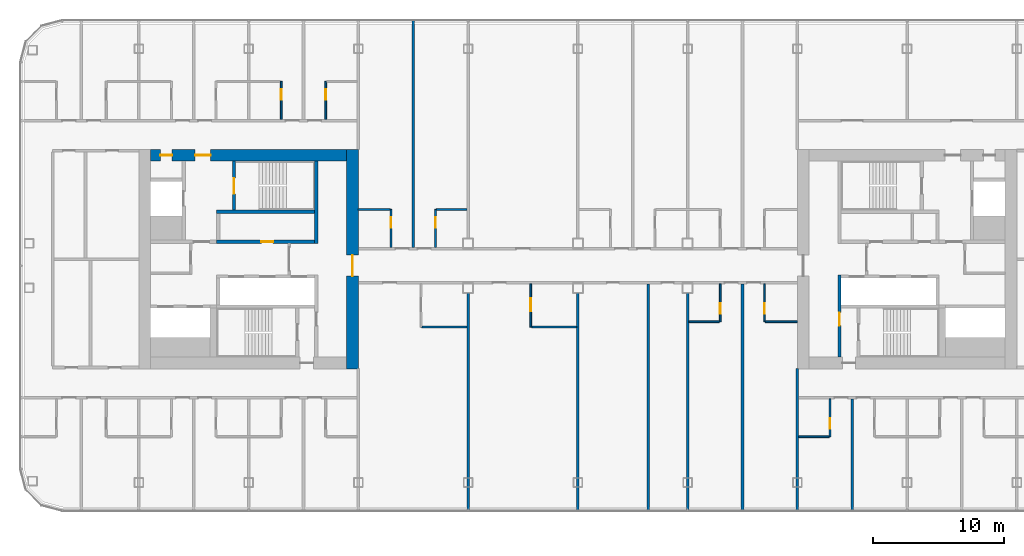
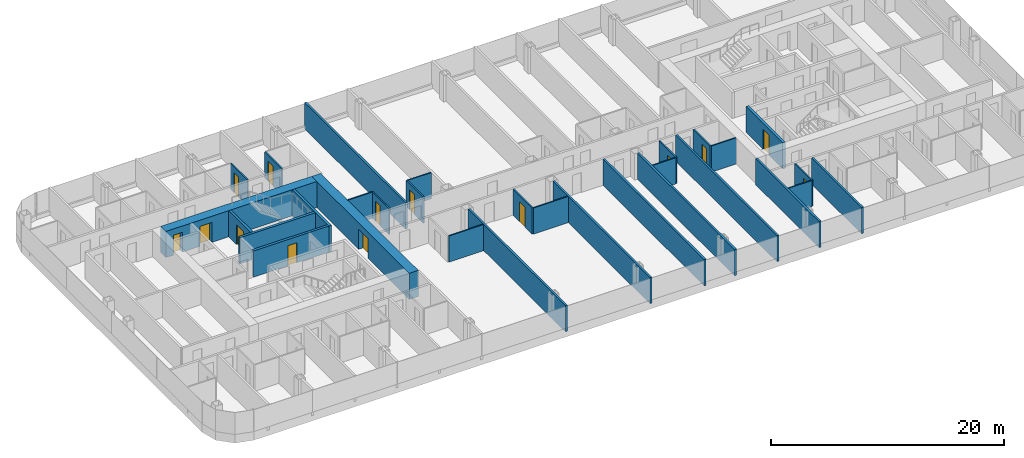
# One storey, part 14 of 26: 30 walls, 14 doors, 14 openings.
"""IFC4 building model written with IfcOpenShell, lengths in metres."""

from ifc_helpers import new_model, si_unit, direction, frame, frame_2d, origin, place, context, subcontext, project, spatial, rectangle, extrude, material, layer, layer_set, type_object, element, fill, save


model = new_model("IFC4")

# Units and contexts
model_context = context("Model", 3, precision=1e-05, world=origin(), true_north=direction((0.0, 1.0)))
body_context = subcontext(model_context, "Body", "Model", "MODEL_VIEW")
ifc_project = project(units=[si_unit("LENGTHUNIT", "METRE"), si_unit("AREAUNIT", "SQUARE_METRE"), si_unit("VOLUMEUNIT", "CUBIC_METRE"), si_unit("PLANEANGLEUNIT", "RADIAN"), si_unit("MASSUNIT", "GRAM", prefix="KILO")], contexts=[model_context])

# Site, building, storey
site_placement = place(None, origin())
site = spatial("IfcSite", under=ifc_project, at=site_placement, CompositionType="ELEMENT")
building_placement = place(site_placement, origin())
building = spatial("IfcBuilding", under=site, at=building_placement, Name="Hakoniwa Tower and Hamabe Station Hall", CompositionType="ELEMENT")
storey_placement = place(building_placement, frame((0.0, 0.0, 134.199951171875)))
storey = spatial("IfcBuildingStorey", under=building, at=storey_placement, Name="L37", CompositionType="ELEMENT", Elevation=134.199951171875)

# Walls
ifc_material_1 = material(Name="Gypsum board partition", Category="gypsum")
ifc_layer_1 = layer(ifc_material_1, 0.125)
ifc_layer_set_1 = layer_set([ifc_layer_1], Name="Bathroom Partition 125")
wall_type_1 = type_object("IfcWallType", Name="Bathroom Partition 125", PredefinedType="PARTITIONING", material=ifc_layer_set_1)
wall_1_placement = place(storey_placement, frame((16.89990234375, -13.60009765625, 0.0), z_axis=(0.0, 0.0, 1.0), x_axis=(1.0, 0.0, 0.0)))
element("IfcWall", 1, at=wall_1_placement, inside=storey, type_object=wall_type_1, Name="GW-L37-005", PredefinedType="PARTITIONING", context=body_context, shape_type="SweptSolid", body=[
    extrude(rectangle(XDim=2.337646484375, YDim=0.125, at=frame_2d((1.1689453125, 0.0))), origin(), (0.0, 0.0, 1.0), 2.75),
])
for number, where, z_axis, x_axis, name in (
    (2, (-11.9375, -5.199951171875, 0.0), (0.0, 0.0, 1.0), (1.0, 0.0, 0.0), "GW-L37-013"),
    (3, (-3.53759765625, -5.199951171875, 0.0), (0.0, 0.0, 1.0), (1.0, 0.0, 0.0), "GW-L37-014"),
):
    element("IfcWall", number, at=place(storey_placement, frame(where, z_axis=z_axis, x_axis=x_axis)), inside=storey, type_object=wall_type_1, Name=name, PredefinedType="PARTITIONING", context=body_context, shape_type="SweptSolid", body=[
        extrude(rectangle(XDim=3.4375, YDim=0.125, at=frame_2d((1.71875, 0.0))), origin(), (0.0, 0.0, 1.0), 2.75),
    ])
wall_2_placement = place(storey_placement, frame((8.5, -4.800048828125, 0.0), z_axis=(0.0, 0.0, 1.0), x_axis=(1.0, 0.0, 0.0)))
element("IfcWall", 4, at=wall_2_placement, inside=storey, type_object=wall_type_1, Name="GW-L37-015", PredefinedType="PARTITIONING", context=body_context, shape_type="SweptSolid", body=[
    extrude(rectangle(XDim=2.33740234375, YDim=0.125, at=frame_2d((1.168701171875, 0.0))), origin(), (0.0, 0.0, 1.0), 2.75),
])
for number, where, z_axis, x_axis, name in (
    (5, (14.362548828125, -4.800048828125, 0.0), (0.0, 0.0, 1.0), (1.0, 0.0, 0.0), "GW-L37-016"),
    (6, (-16.81005859375, 3.800048828125, 0.0), (0.0, 0.0, 1.0), (1.0, 0.0, 0.0), "GW-L37-021"),
):
    element("IfcWall", number, at=place(storey_placement, frame(where, z_axis=z_axis, x_axis=x_axis)), inside=storey, type_object=wall_type_1, Name=name, PredefinedType="PARTITIONING", context=body_context, shape_type="SweptSolid", body=[
        extrude(rectangle(XDim=2.447509765625, YDim=0.125, at=frame_2d((1.2236328125, 0.0))), origin(), (0.0, 0.0, 1.0), 2.75),
    ])
wall_3_placement = place(storey_placement, frame((-10.83740234375, 3.800048828125, 0.0), z_axis=(0.0, 0.0, 1.0), x_axis=(1.0, 0.0, 0.0)))
element("IfcWall", 7, at=wall_3_placement, inside=storey, type_object=wall_type_1, Name="GW-L37-022", PredefinedType="PARTITIONING", context=body_context, shape_type="SweptSolid", body=[
    extrude(rectangle(XDim=2.33740234375, YDim=0.125, at=frame_2d((1.168701171875, 0.0))), origin(), (0.0, 0.0, 1.0), 2.75),
])

# Wall, opening, door
wall_4_placement = place(storey_placement, frame((-22.699951171875, 10.699951171875, 0.0), z_axis=(0.0, 0.0, 1.0), x_axis=(0.0, 1.0, 0.0)))
wall_4 = element("IfcWall", 8, at=wall_4_placement, inside=storey, type_object=wall_type_1, Name="GW-L37-054", PredefinedType="PARTITIONING", context=body_context, shape_type="SweptSolid", body=[
    extrude(rectangle(XDim=2.900146484375, YDim=0.125, at=frame_2d((1.4501953125, 0.0))), origin(), (0.0, 0.0, 1.0), 2.75),
])
opening_1_placement = place(wall_4_placement, frame((1.5, 0.0, 0.0)))
opening_1 = element("IfcOpeningElement", 9, at=opening_1_placement, cuts=wall_4, Name="Opening GD-G3B0-52", PredefinedType="OPENING", context=body_context, shape_type="SweptSolid", body=[
    extrude(rectangle(XDim=0.800048828125, YDim=2.10009765625, at=frame_2d((0.39990234375, 1.050048828125))), frame((0.0, 0.072509765625, 0.0), z_axis=(0.0, -1.0, 0.0), x_axis=(1.0, 0.0, 0.0)), (0.0, 0.0, 1.0), 0.14501953125),
])
ifc_material_2 = material(Name="Timber door leaf", Category="wood")
door_type_1 = type_object("IfcDoorType", Name="Bathroom Door 800", OperationType="SINGLE_SWING_LEFT", PredefinedType="DOOR", material=ifc_material_2)
door_1_placement = place(opening_1_placement, origin())
door_1 = element("IfcDoor", 10, at=door_1_placement, inside=storey, type_object=door_type_1, Name="Door GD-G3B0-52", OperationType="SINGLE_SWING_LEFT", OverallHeight=2.10009765625, OverallWidth=0.800048828125, PredefinedType="DOOR", context=body_context, shape_type="SweptSolid", body=[
    extrude(rectangle(XDim=0.800048828125, YDim=2.10009765625, at=frame_2d((0.39990234375, 1.050048828125))), frame((0.0, 0.02490234375, 0.0), z_axis=(0.0, -1.0, 0.0), x_axis=(1.0, 0.0, 0.0)), (0.0, 0.0, 1.0), 0.050048828125),
])
fill(opening_1, door_1)

wall_5_placement = place(storey_placement, frame((-19.300048828125, 10.699951171875, 0.0), z_axis=(0.0, 0.0, 1.0), x_axis=(0.0, 1.0, 0.0)))
wall_5 = element("IfcWall", 11, at=wall_5_placement, inside=storey, type_object=wall_type_1, Name="GW-L37-058", PredefinedType="PARTITIONING", context=body_context, shape_type="SweptSolid", body=[
    extrude(rectangle(XDim=2.900146484375, YDim=0.125, at=frame_2d((1.4501953125, 0.0))), origin(), (0.0, 0.0, 1.0), 2.75),
])
opening_2_placement = place(wall_5_placement, frame((1.5, 0.0, 0.0)))
opening_2 = element("IfcOpeningElement", 12, at=opening_2_placement, cuts=wall_5, Name="Opening GD-G3B0-54", PredefinedType="OPENING", context=body_context, shape_type="SweptSolid", body=[
    extrude(rectangle(XDim=0.800048828125, YDim=2.10009765625, at=frame_2d((0.39990234375, 1.050048828125))), frame((0.0, 0.072509765625, 0.0), z_axis=(0.0, -1.0, 0.0), x_axis=(1.0, 0.0, 0.0)), (0.0, 0.0, 1.0), 0.14501953125),
])
door_2_placement = place(opening_2_placement, origin())
door_2 = element("IfcDoor", 13, at=door_2_placement, inside=storey, type_object=door_type_1, Name="Door GD-G3B0-54", OperationType="SINGLE_SWING_RIGHT", OverallHeight=2.10009765625, OverallWidth=0.800048828125, PredefinedType="DOOR", context=body_context, shape_type="SweptSolid", body=[
    extrude(rectangle(XDim=0.800048828125, YDim=2.10009765625, at=frame_2d((0.39990234375, 1.050048828125))), frame((0.0, 0.02490234375, 0.0), z_axis=(0.0, -1.0, 0.0), x_axis=(1.0, 0.0, 0.0)), (0.0, 0.0, 1.0), 0.050048828125),
])
fill(opening_2, door_2)

wall_6_placement = place(storey_placement, frame((-14.300048828125, 0.89990234375, 0.0), z_axis=(0.0, 0.0, 1.0), x_axis=(0.0, 1.0, 0.0)))
wall_6 = element("IfcWall", 14, at=wall_6_placement, inside=storey, type_object=wall_type_1, Name="GW-L37-061", PredefinedType="PARTITIONING", context=body_context, shape_type="SweptSolid", body=[
    extrude(rectangle(XDim=2.900146484375, YDim=0.125, at=frame_2d((1.4501953125, 0.0))), origin(), (0.0, 0.0, 1.0), 2.75),
])
opening_3_placement = place(wall_6_placement, frame((1.5, 0.0, 0.0)))
opening_3 = element("IfcOpeningElement", 15, at=opening_3_placement, cuts=wall_6, Name="Opening GD-G3B0-55", PredefinedType="OPENING", context=body_context, shape_type="SweptSolid", body=[
    extrude(rectangle(XDim=0.800048828125, YDim=2.10009765625, at=frame_2d((0.39990234375, 1.050048828125))), frame((0.0, 0.072509765625, 0.0), z_axis=(0.0, -1.0, 0.0), x_axis=(1.0, 0.0, 0.0)), (0.0, 0.0, 1.0), 0.14501953125),
])
door_3_placement = place(opening_3_placement, origin())
door_3 = element("IfcDoor", 16, at=door_3_placement, inside=storey, type_object=door_type_1, Name="Door GD-G3B0-55", OperationType="SINGLE_SWING_LEFT", OverallHeight=2.10009765625, OverallWidth=0.800048828125, PredefinedType="DOOR", context=body_context, shape_type="SweptSolid", body=[
    extrude(rectangle(XDim=0.800048828125, YDim=2.10009765625, at=frame_2d((0.39990234375, 1.050048828125))), frame((0.0, 0.02490234375, 0.0), z_axis=(0.0, -1.0, 0.0), x_axis=(1.0, 0.0, 0.0)), (0.0, 0.0, 1.0), 0.050048828125),
])
fill(opening_3, door_3)

wall_7_placement = place(storey_placement, frame((-10.89990234375, 0.89990234375, 0.0), z_axis=(0.0, 0.0, 1.0), x_axis=(0.0, 1.0, 0.0)))
wall_7 = element("IfcWall", 17, at=wall_7_placement, inside=storey, type_object=wall_type_1, Name="GW-L37-064", PredefinedType="PARTITIONING", context=body_context, shape_type="SweptSolid", body=[
    extrude(rectangle(XDim=2.900146484375, YDim=0.125, at=frame_2d((1.4501953125, 0.0))), origin(), (0.0, 0.0, 1.0), 2.75),
])
opening_4_placement = place(wall_7_placement, frame((1.5, 0.0, 0.0)))
opening_4 = element("IfcOpeningElement", 18, at=opening_4_placement, cuts=wall_7, Name="Opening GD-G3B0-57", PredefinedType="OPENING", context=body_context, shape_type="SweptSolid", body=[
    extrude(rectangle(XDim=0.800048828125, YDim=2.10009765625, at=frame_2d((0.39990234375, 1.050048828125))), frame((0.0, 0.072509765625, 0.0), z_axis=(0.0, -1.0, 0.0), x_axis=(1.0, 0.0, 0.0)), (0.0, 0.0, 1.0), 0.14501953125),
])
door_4_placement = place(opening_4_placement, origin())
door_4 = element("IfcDoor", 19, at=door_4_placement, inside=storey, type_object=door_type_1, Name="Door GD-G3B0-57", OperationType="SINGLE_SWING_RIGHT", OverallHeight=2.10009765625, OverallWidth=0.800048828125, PredefinedType="DOOR", context=body_context, shape_type="SweptSolid", body=[
    extrude(rectangle(XDim=0.800048828125, YDim=2.10009765625, at=frame_2d((0.39990234375, 1.050048828125))), frame((0.0, 0.02490234375, 0.0), z_axis=(0.0, -1.0, 0.0), x_axis=(1.0, 0.0, 0.0)), (0.0, 0.0, 1.0), 0.050048828125),
])
fill(opening_4, door_4)

wall_8_placement = place(storey_placement, frame((-3.60009765625, -5.199951171875, 0.0), z_axis=(0.0, 0.0, 1.0), x_axis=(0.0, 1.0, 0.0)))
wall_8 = element("IfcWall", 20, at=wall_8_placement, inside=storey, type_object=wall_type_1, Name="GW-L37-067", PredefinedType="PARTITIONING", context=body_context, shape_type="SweptSolid", body=[
    extrude(rectangle(XDim=3.300048828125, YDim=0.125, at=frame_2d((1.64990234375, 0.0))), origin(), (0.0, 0.0, 1.0), 2.75),
])
opening_5_placement = place(wall_8_placement, frame((1.199951171875, 0.0, 0.0)))
opening_5 = element("IfcOpeningElement", 21, at=opening_5_placement, cuts=wall_8, Name="Opening GD-G3B0-58", PredefinedType="OPENING", context=body_context, shape_type="SweptSolid", body=[
    extrude(rectangle(XDim=1.0, YDim=2.10009765625, at=frame_2d((0.5, 1.050048828125))), frame((0.0, 0.072509765625, 0.0), z_axis=(0.0, -1.0, 0.0), x_axis=(1.0, 0.0, 0.0)), (0.0, 0.0, 1.0), 0.14501953125),
])
ifc_material_3 = material(Name="Timber door leaf", Category="wood")
door_type_2 = type_object("IfcDoorType", Name="Accessible Bathroom Door 1000", OperationType="SINGLE_SWING_LEFT", PredefinedType="DOOR", material=ifc_material_3)
door_5_placement = place(opening_5_placement, origin())
door_5 = element("IfcDoor", 22, at=door_5_placement, inside=storey, type_object=door_type_2, Name="Door GD-G3B0-58", OperationType="SINGLE_SWING_LEFT", OverallHeight=2.10009765625, OverallWidth=1.0, PredefinedType="DOOR", context=body_context, shape_type="SweptSolid", body=[
    extrude(rectangle(XDim=1.0, YDim=2.10009765625, at=frame_2d((0.5, 1.050048828125))), frame((0.0, 0.02490234375, 0.0), z_axis=(0.0, -1.0, 0.0), x_axis=(1.0, 0.0, 0.0)), (0.0, 0.0, 1.0), 0.050048828125),
])
fill(opening_5, door_5)

wall_9_placement = place(storey_placement, frame((10.89990234375, -4.800048828125, 0.0), z_axis=(0.0, 0.0, 1.0), x_axis=(0.0, 1.0, 0.0)))
wall_9 = element("IfcWall", 23, at=wall_9_placement, inside=storey, type_object=wall_type_1, Name="GW-L37-076", PredefinedType="PARTITIONING", context=body_context, shape_type="SweptSolid", body=[
    extrude(rectangle(XDim=2.900146484375, YDim=0.125, at=frame_2d((1.4501953125, 0.0))), origin(), (0.0, 0.0, 1.0), 2.75),
])
opening_6_placement = place(wall_9_placement, frame((0.60009765625, 0.0, 0.0)))
opening_6 = element("IfcOpeningElement", 24, at=opening_6_placement, cuts=wall_9, Name="Opening GD-G3B0-61", PredefinedType="OPENING", context=body_context, shape_type="SweptSolid", body=[
    extrude(rectangle(XDim=0.800048828125, YDim=2.10009765625, at=frame_2d((0.39990234375, 1.050048828125))), frame((0.0, 0.072509765625, 0.0), z_axis=(0.0, -1.0, 0.0), x_axis=(1.0, 0.0, 0.0)), (0.0, 0.0, 1.0), 0.14501953125),
])
door_6_placement = place(opening_6_placement, origin())
door_6 = element("IfcDoor", 25, at=door_6_placement, inside=storey, type_object=door_type_1, Name="Door GD-G3B0-61", OperationType="SINGLE_SWING_RIGHT", OverallHeight=2.10009765625, OverallWidth=0.800048828125, PredefinedType="DOOR", context=body_context, shape_type="SweptSolid", body=[
    extrude(rectangle(XDim=0.800048828125, YDim=2.10009765625, at=frame_2d((0.39990234375, 1.050048828125))), frame((0.0, 0.02490234375, 0.0), z_axis=(0.0, -1.0, 0.0), x_axis=(1.0, 0.0, 0.0)), (0.0, 0.0, 1.0), 0.050048828125),
])
fill(opening_6, door_6)

wall_10_placement = place(storey_placement, frame((14.300048828125, -4.800048828125, 0.0), z_axis=(0.0, 0.0, 1.0), x_axis=(0.0, 1.0, 0.0)))
wall_10 = element("IfcWall", 26, at=wall_10_placement, inside=storey, type_object=wall_type_1, Name="GW-L37-080", PredefinedType="PARTITIONING", context=body_context, shape_type="SweptSolid", body=[
    extrude(rectangle(XDim=2.900146484375, YDim=0.125, at=frame_2d((1.4501953125, 0.0))), origin(), (0.0, 0.0, 1.0), 2.75),
])
opening_7_placement = place(wall_10_placement, frame((0.60009765625, 0.0, 0.0)))
opening_7 = element("IfcOpeningElement", 27, at=opening_7_placement, cuts=wall_10, Name="Opening GD-G3B0-63", PredefinedType="OPENING", context=body_context, shape_type="SweptSolid", body=[
    extrude(rectangle(XDim=0.800048828125, YDim=2.10009765625, at=frame_2d((0.39990234375, 1.050048828125))), frame((0.0, 0.072509765625, 0.0), z_axis=(0.0, -1.0, 0.0), x_axis=(1.0, 0.0, 0.0)), (0.0, 0.0, 1.0), 0.14501953125),
])
door_7_placement = place(opening_7_placement, origin())
door_7 = element("IfcDoor", 28, at=door_7_placement, inside=storey, type_object=door_type_1, Name="Door GD-G3B0-63", OperationType="SINGLE_SWING_LEFT", OverallHeight=2.10009765625, OverallWidth=0.800048828125, PredefinedType="DOOR", context=body_context, shape_type="SweptSolid", body=[
    extrude(rectangle(XDim=0.800048828125, YDim=2.10009765625, at=frame_2d((0.39990234375, 1.050048828125))), frame((0.0, 0.02490234375, 0.0), z_axis=(0.0, -1.0, 0.0), x_axis=(1.0, 0.0, 0.0)), (0.0, 0.0, 1.0), 0.050048828125),
])
fill(opening_7, door_7)

wall_11_placement = place(storey_placement, frame((19.300048828125, -13.60009765625, 0.0), z_axis=(0.0, 0.0, 1.0), x_axis=(0.0, 1.0, 0.0)))
wall_11 = element("IfcWall", 29, at=wall_11_placement, inside=storey, type_object=wall_type_1, Name="GW-L37-084", PredefinedType="PARTITIONING", context=body_context, shape_type="SweptSolid", body=[
    extrude(rectangle(XDim=2.900146484375, YDim=0.125, at=frame_2d((1.4501953125, 0.0))), origin(), (0.0, 0.0, 1.0), 2.75),
])
opening_8_placement = place(wall_11_placement, frame((0.60009765625, 0.0, 0.0)))
opening_8 = element("IfcOpeningElement", 30, at=opening_8_placement, cuts=wall_11, Name="Opening GD-G3B0-65", PredefinedType="OPENING", context=body_context, shape_type="SweptSolid", body=[
    extrude(rectangle(XDim=0.800048828125, YDim=2.10009765625, at=frame_2d((0.39990234375, 1.050048828125))), frame((0.0, 0.072509765625, 0.0), z_axis=(0.0, -1.0, 0.0), x_axis=(1.0, 0.0, 0.0)), (0.0, 0.0, 1.0), 0.14501953125),
])
door_8_placement = place(opening_8_placement, origin())
door_8 = element("IfcDoor", 31, at=door_8_placement, inside=storey, type_object=door_type_1, Name="Door GD-G3B0-65", OperationType="SINGLE_SWING_RIGHT", OverallHeight=2.10009765625, OverallWidth=0.800048828125, PredefinedType="DOOR", context=body_context, shape_type="SweptSolid", body=[
    extrude(rectangle(XDim=0.800048828125, YDim=2.10009765625, at=frame_2d((0.39990234375, 1.050048828125))), frame((0.0, 0.02490234375, 0.0), z_axis=(0.0, -1.0, 0.0), x_axis=(1.0, 0.0, 0.0)), (0.0, 0.0, 1.0), 0.050048828125),
])
fill(opening_8, door_8)

ifc_material_4 = material(Name="Concrete C66", Category="concrete")
ifc_layer_2 = layer(ifc_material_4, 0.89990234375)
ifc_layer_set_2 = layer_set([ifc_layer_2], Name="CORE WALL 900 C66")
wall_type_2 = type_object("IfcWallType", Name="CORE WALL 900 C66", PredefinedType="SHEAR", material=ifc_layer_set_2)
wall_12_placement = place(storey_placement, frame((-17.25, -8.39990234375, 0.0), z_axis=(0.0, 0.0, 1.0), x_axis=(0.0, 1.0, 0.0)))
wall_12 = element("IfcWall", 32, at=wall_12_placement, inside=storey, type_object=wall_type_2, Name="Core wall INNER west", PredefinedType="SHEAR", context=body_context, shape_type="SweptSolid", body=[
    extrude(rectangle(XDim=16.7998046875, YDim=0.89990234375, at=frame_2d((8.39990234375, 0.0))), origin(), (0.0, 0.0, 1.0), 2.75),
])
opening_9_placement = place(wall_12_placement, frame((7.10009765625, 0.0, 0.0)))
opening_9 = element("IfcOpeningElement", 33, at=opening_9_placement, cuts=wall_12, Name="Opening CD-W-IN1-16", PredefinedType="OPENING", context=body_context, shape_type="SweptSolid", body=[
    extrude(rectangle(XDim=1.60009765625, YDim=2.10009765625, at=frame_2d((0.800048828125, 1.050048828125))), frame((0.0, 0.4599609375, 0.0), z_axis=(0.0, -1.0, 0.0), x_axis=(1.0, 0.0, 0.0)), (0.0, 0.0, 1.0), 0.919921875),
])
ifc_material_5 = material(Name="Steel fire door", Category="steel")
door_type_3 = type_object("IfcDoorType", Name="CORE DOOR 1600 FD60", OperationType="DOUBLE_DOOR_SINGLE_SWING", PredefinedType="DOOR", material=ifc_material_5)
door_9_placement = place(opening_9_placement, origin())
door_9 = element("IfcDoor", 34, at=door_9_placement, inside=storey, type_object=door_type_3, Name="Lift lobby door", OperationType="DOUBLE_DOOR_SINGLE_SWING", OverallHeight=2.10009765625, OverallWidth=1.60009765625, PredefinedType="DOOR", context=body_context, shape_type="SweptSolid", body=[
    extrude(rectangle(XDim=1.60009765625, YDim=2.10009765625, at=frame_2d((0.800048828125, 1.050048828125))), frame((0.0, 0.02490234375, 0.0), z_axis=(0.0, -1.0, 0.0), x_axis=(1.0, 0.0, 0.0)), (0.0, 0.0, 1.0), 0.050048828125),
])
fill(opening_9, door_9)

# Wall, openings, doors
wall_13_placement = place(storey_placement, frame((-32.699951171875, 7.949951171875, 0.0), z_axis=(0.0, 0.0, 1.0), x_axis=(1.0, 0.0, 0.0)))
wall_13 = element("IfcWall", 35, at=wall_13_placement, inside=storey, type_object=wall_type_2, Name="Core wall NORTH west", PredefinedType="SHEAR", context=body_context, shape_type="SweptSolid", body=[
    extrude(rectangle(XDim=15.0, YDim=0.89990234375, at=frame_2d((7.5, 0.0))), origin(), (0.0, 0.0, 1.0), 2.75),
])
opening_10_placement = place(wall_13_placement, frame((3.39990234375, 0.0, 0.0)))
opening_10 = element("IfcOpeningElement", 36, at=opening_10_placement, cuts=wall_13, Name="Opening CD-W-FN1-12", PredefinedType="OPENING", context=body_context, shape_type="SweptSolid", body=[
    extrude(rectangle(XDim=1.199951171875, YDim=2.10009765625, at=frame_2d((0.60009765625, 1.050048828125))), frame((0.0, 0.4599609375, 0.0), z_axis=(0.0, -1.0, 0.0), x_axis=(1.0, 0.0, 0.0)), (0.0, 0.0, 1.0), 0.919921875),
])
opening_11_placement = place(wall_13_placement, frame((0.75, 0.0, 0.0)))
opening_11 = element("IfcOpeningElement", 37, at=opening_11_placement, cuts=wall_13, Name="Opening CD-W-FN2-9", PredefinedType="OPENING", context=body_context, shape_type="SweptSolid", body=[
    extrude(rectangle(XDim=0.89990234375, YDim=2.10009765625, at=frame_2d((0.449951171875, 1.050048828125))), frame((0.0, 0.4599609375, 0.0), z_axis=(0.0, -1.0, 0.0), x_axis=(1.0, 0.0, 0.0)), (0.0, 0.0, 1.0), 0.919921875),
])
ifc_material_6 = material(Name="Steel fire door", Category="steel")
door_type_4 = type_object("IfcDoorType", Name="CORE DOOR 1200 FD60", OperationType="DOUBLE_DOOR_SINGLE_SWING", PredefinedType="DOOR", material=ifc_material_6)
door_10_placement = place(opening_10_placement, origin())
door_10 = element("IfcDoor", 38, at=door_10_placement, inside=storey, type_object=door_type_4, Name="Stair vestibule door to the fire-fighting lobby", OperationType="DOUBLE_DOOR_SINGLE_SWING", OverallHeight=2.10009765625, OverallWidth=1.199951171875, PredefinedType="DOOR", context=body_context, shape_type="SweptSolid", body=[
    extrude(rectangle(XDim=1.199951171875, YDim=2.10009765625, at=frame_2d((0.60009765625, 1.050048828125))), frame((0.0, 0.02490234375, 0.0), z_axis=(0.0, -1.0, 0.0), x_axis=(1.0, 0.0, 0.0)), (0.0, 0.0, 1.0), 0.050048828125),
])
fill(opening_10, door_10)
ifc_material_7 = material(Name="Steel fire door", Category="steel")
door_type_5 = type_object("IfcDoorType", Name="CORE DOOR 900 FD30", OperationType="NOTDEFINED", PredefinedType="DOOR", material=ifc_material_7)
door_11_placement = place(opening_11_placement, origin())
door_11 = element("IfcDoor", 39, at=door_11_placement, inside=storey, type_object=door_type_5, Name="Riser access door", OperationType="SINGLE_SWING_RIGHT", OverallHeight=2.10009765625, OverallWidth=0.89990234375, PredefinedType="DOOR", context=body_context, shape_type="SweptSolid", body=[
    extrude(rectangle(XDim=0.89990234375, YDim=2.10009765625, at=frame_2d((0.449951171875, 1.050048828125))), frame((0.0, 0.02490234375, 0.0), z_axis=(0.0, -1.0, 0.0), x_axis=(1.0, 0.0, 0.0)), (0.0, 0.0, 1.0), 0.050048828125),
])
fill(opening_11, door_11)

# Wall
ifc_material_8 = material(Name="Concrete C66", Category="concrete")
ifc_layer_3 = layer(ifc_material_8, 0.25)
ifc_layer_set_3 = layer_set([ifc_layer_3], Name="CORE WEB WALL 250 C66")
wall_type_3 = type_object("IfcWallType", Name="CORE WEB WALL 250 C66", PredefinedType="SHEAR", material=ifc_layer_set_3)
wall_14_placement = place(storey_placement, frame((-20.02490234375, 1.199951171875, 0.0), z_axis=(0.0, 0.0, 1.0), x_axis=(0.0, 1.0, 0.0)))
element("IfcWall", 40, at=wall_14_placement, inside=storey, type_object=wall_type_3, Name="Core wall W1N west", PredefinedType="SHEAR", context=body_context, shape_type="SweptSolid", body=[
    extrude(rectangle(XDim=6.300048828125, YDim=0.25, at=frame_2d((3.14990234375, 0.0))), origin(), (0.0, 0.0, 1.0), 2.75),
])

# Wall, opening, door
wall_15_placement = place(storey_placement, frame((-27.64990234375, 1.324951171875, 0.0), z_axis=(0.0, 0.0, 1.0), x_axis=(1.0, 0.0, 0.0)))
wall_15 = element("IfcWall", 41, at=wall_15_placement, inside=storey, type_object=wall_type_3, Name="Core wall NF west", PredefinedType="SHEAR", context=body_context, shape_type="SweptSolid", body=[
    extrude(rectangle(XDim=7.5, YDim=0.25, at=frame_2d((3.75, 0.0))), origin(), (0.0, 0.0, 1.0), 2.75),
])
opening_12_placement = place(wall_15_placement, frame((3.425048828125, 0.0, 0.0)))
opening_12 = element("IfcOpeningElement", 42, at=opening_12_placement, cuts=wall_15, Name="Opening CD-W-FRLR0-9", PredefinedType="OPENING", context=body_context, shape_type="SweptSolid", body=[
    extrude(rectangle(XDim=0.89990234375, YDim=2.10009765625, at=frame_2d((0.449951171875, 1.050048828125))), frame((0.0, 0.135009765625, 0.0), z_axis=(0.0, -1.0, 0.0), x_axis=(1.0, 0.0, 0.0)), (0.0, 0.0, 1.0), 0.27001953125),
])
door_12_placement = place(opening_12_placement, origin())
door_12 = element("IfcDoor", 43, at=door_12_placement, inside=storey, type_object=door_type_5, Name="Store room door", OperationType="SINGLE_SWING_LEFT", OverallHeight=2.10009765625, OverallWidth=0.89990234375, PredefinedType="DOOR", context=body_context, shape_type="SweptSolid", body=[
    extrude(rectangle(XDim=0.89990234375, YDim=2.10009765625, at=frame_2d((0.449951171875, 1.050048828125))), frame((0.0, 0.02490234375, 0.0), z_axis=(0.0, -1.0, 0.0), x_axis=(1.0, 0.0, 0.0)), (0.0, 0.0, 1.0), 0.050048828125),
])
fill(opening_12, door_12)

# Wall
wall_16_placement = place(storey_placement, frame((-27.64990234375, 3.625, 0.0), z_axis=(0.0, 0.0, 1.0), x_axis=(1.0, 0.0, 0.0)))
element("IfcWall", 44, at=wall_16_placement, inside=storey, type_object=wall_type_3, Name="Core wall NR west", PredefinedType="SHEAR", context=body_context, shape_type="SweptSolid", body=[
    extrude(rectangle(XDim=7.5, YDim=0.25, at=frame_2d((3.75, 0.0))), origin(), (0.0, 0.0, 1.0), 2.75),
])

# Wall, opening, door
wall_17_placement = place(storey_placement, frame((-26.324951171875, 3.75, 0.0), z_axis=(0.0, 0.0, 1.0), x_axis=(0.0, 1.0, 0.0)))
wall_17 = element("IfcWall", 45, at=wall_17_placement, inside=storey, type_object=wall_type_3, Name="Core wall NSE west", PredefinedType="SHEAR", context=body_context, shape_type="SweptSolid", body=[
    extrude(rectangle(XDim=3.75, YDim=0.25, at=frame_2d((1.875, 0.0))), origin(), (0.0, 0.0, 1.0), 2.75),
])
opening_13_placement = place(wall_17_placement, frame((1.25, 0.0, 0.0)))
opening_13 = element("IfcOpeningElement", 46, at=opening_13_placement, cuts=wall_17, Name="Opening CD-W-SN-12", PredefinedType="OPENING", context=body_context, shape_type="SweptSolid", body=[
    extrude(rectangle(XDim=1.199951171875, YDim=2.10009765625, at=frame_2d((0.60009765625, 1.050048828125))), frame((0.0, 0.135009765625, 0.0), z_axis=(0.0, -1.0, 0.0), x_axis=(1.0, 0.0, 0.0)), (0.0, 0.0, 1.0), 0.27001953125),
])
door_13_placement = place(opening_13_placement, origin())
door_13 = element("IfcDoor", 47, at=door_13_placement, inside=storey, type_object=door_type_4, Name="Escape stair door", OperationType="DOUBLE_DOOR_SINGLE_SWING", OverallHeight=2.10009765625, OverallWidth=1.199951171875, PredefinedType="DOOR", context=body_context, shape_type="SweptSolid", body=[
    extrude(rectangle(XDim=1.199951171875, YDim=2.10009765625, at=frame_2d((0.60009765625, 1.050048828125))), frame((0.0, 0.02490234375, 0.0), z_axis=(0.0, -1.0, 0.0), x_axis=(1.0, 0.0, 0.0)), (0.0, 0.0, 1.0), 0.050048828125),
])
fill(opening_13, door_13)

wall_18_placement = place(storey_placement, frame((20.02490234375, -7.5, 0.0), z_axis=(0.0, 0.0, 1.0), x_axis=(0.0, 1.0, 0.0)))
wall_18 = element("IfcWall", 48, at=wall_18_placement, inside=storey, type_object=wall_type_3, Name="Core wall W1S east", PredefinedType="SHEAR", context=body_context, shape_type="SweptSolid", body=[
    extrude(rectangle(XDim=6.300048828125, YDim=0.25, at=frame_2d((3.14990234375, 0.0))), origin(), (0.0, 0.0, 1.0), 2.75),
])
opening_14_placement = place(wall_18_placement, frame((2.39990234375, 0.0, 0.0)))
opening_14 = element("IfcOpeningElement", 49, at=opening_14_placement, cuts=wall_18, Name="Opening CD-E-VS-10", PredefinedType="OPENING", context=body_context, shape_type="SweptSolid", body=[
    extrude(rectangle(XDim=1.0, YDim=2.10009765625, at=frame_2d((0.5, 1.050048828125))), frame((0.0, 0.135009765625, 0.0), z_axis=(0.0, -1.0, 0.0), x_axis=(1.0, 0.0, 0.0)), (0.0, 0.0, 1.0), 0.27001953125),
])
ifc_material_9 = material(Name="Steel fire door", Category="steel")
door_type_6 = type_object("IfcDoorType", Name="CORE DOOR 1000 FD60", OperationType="NOTDEFINED", PredefinedType="DOOR", material=ifc_material_9)
door_14_placement = place(opening_14_placement, origin())
door_14 = element("IfcDoor", 50, at=door_14_placement, inside=storey, type_object=door_type_6, Name="Stair vestibule door", OperationType="SINGLE_SWING_RIGHT", OverallHeight=2.10009765625, OverallWidth=1.0, PredefinedType="DOOR", context=body_context, shape_type="SweptSolid", body=[
    extrude(rectangle(XDim=1.0, YDim=2.10009765625, at=frame_2d((0.5, 1.050048828125))), frame((0.0, 0.02490234375, 0.0), z_axis=(0.0, -1.0, 0.0), x_axis=(1.0, 0.0, 0.0)), (0.0, 0.0, 1.0), 0.050048828125),
])
fill(opening_14, door_14)

# Walls
ifc_material_10 = material(Name="Fire-rated gypsum board partition", Category="gypsum")
ifc_layer_4 = layer(ifc_material_10, 0.199951171875)
ifc_layer_set_4 = layer_set([ifc_layer_4], Name="Party Wall 200")
wall_type_4 = type_object("IfcWallType", Name="Party Wall 200", PredefinedType="PARTITIONING", material=ifc_layer_set_4)
wall_19_placement = place(storey_placement, frame((-12.60009765625, 0.89990234375, 0.0), z_axis=(0.0, 0.0, 1.0), x_axis=(0.0, 1.0, 0.0)))
element("IfcWall", 51, at=wall_19_placement, inside=storey, type_object=wall_type_4, Name="GW-L37-062", PredefinedType="PARTITIONING", context=body_context, shape_type="SweptSolid", body=[
    extrude(rectangle(XDim=17.400146484375, YDim=0.199951171875, at=frame_2d((8.7001953125, 0.0))), origin(), (0.0, 0.0, 1.0), 2.75),
])
for number, where, z_axis, x_axis, name in (
    (52, (-8.39990234375, -19.300048828125, 0.0), (0.0, 0.0, 1.0), (0.0, 1.0, 0.0), "GW-L37-065"),
    (53, (0.0, -19.300048828125, 0.0), (0.0, 0.0, 1.0), (0.0, 1.0, 0.0), "GW-L37-068"),
):
    element("IfcWall", number, at=place(storey_placement, frame(where, z_axis=z_axis, x_axis=x_axis)), inside=storey, type_object=wall_type_4, Name=name, PredefinedType="PARTITIONING", context=body_context, shape_type="SweptSolid", body=[
        extrude(rectangle(XDim=16.7099609375, YDim=0.199951171875, at=frame_2d((8.35498046875, 0.0))), origin(), (0.0, 0.0, 1.0), 2.75),
    ])
wall_20_placement = place(storey_placement, frame((5.3798828125, -19.300048828125, 0.0), z_axis=(0.0, 0.0, 1.0), x_axis=(0.0, 1.0, 0.0)))
element("IfcWall", 54, at=wall_20_placement, inside=storey, type_object=wall_type_4, Name="GW-L37-072", PredefinedType="PARTITIONING", context=body_context, shape_type="SweptSolid", body=[
    extrude(rectangle(XDim=17.400146484375, YDim=0.199951171875, at=frame_2d((8.7001953125, 0.0))), origin(), (0.0, 0.0, 1.0), 2.75),
])
wall_21_placement = place(storey_placement, frame((8.39990234375, -19.300048828125, 0.0), z_axis=(0.0, 0.0, 1.0), x_axis=(0.0, 1.0, 0.0)))
element("IfcWall", 55, at=wall_21_placement, inside=storey, type_object=wall_type_4, Name="GW-L37-074", PredefinedType="PARTITIONING", context=body_context, shape_type="SweptSolid", body=[
    extrude(rectangle(XDim=16.7099609375, YDim=0.199951171875, at=frame_2d((8.35498046875, 0.0))), origin(), (0.0, 0.0, 1.0), 2.75),
])
wall_22_placement = place(storey_placement, frame((12.60009765625, -19.300048828125, 0.0), z_axis=(0.0, 0.0, 1.0), x_axis=(0.0, 1.0, 0.0)))
element("IfcWall", 56, at=wall_22_placement, inside=storey, type_object=wall_type_4, Name="GW-L37-078", PredefinedType="PARTITIONING", context=body_context, shape_type="SweptSolid", body=[
    extrude(rectangle(XDim=17.400146484375, YDim=0.199951171875, at=frame_2d((8.7001953125, 0.0))), origin(), (0.0, 0.0, 1.0), 2.75),
])
wall_23_placement = place(storey_placement, frame((16.800048828125, -19.300048828125, 0.0), z_axis=(0.0, 0.0, 1.0), x_axis=(0.0, 1.0, 0.0)))
element("IfcWall", 57, at=wall_23_placement, inside=storey, type_object=wall_type_4, Name="GW-L37-082", PredefinedType="PARTITIONING", context=body_context, shape_type="SweptSolid", body=[
    extrude(rectangle(XDim=10.91015625, YDim=0.199951171875, at=frame_2d((5.455078125, 0.0))), origin(), (0.0, 0.0, 1.0), 2.75),
])
wall_24_placement = place(storey_placement, frame((21.0, -19.300048828125, 0.0), z_axis=(0.0, 0.0, 1.0), x_axis=(0.0, 1.0, 0.0)))
element("IfcWall", 58, at=wall_24_placement, inside=storey, type_object=wall_type_4, Name="GW-L37-085", PredefinedType="PARTITIONING", context=body_context, shape_type="SweptSolid", body=[
    extrude(rectangle(XDim=8.60009765625, YDim=0.199951171875, at=frame_2d((4.300048828125, 0.0))), origin(), (0.0, 0.0, 1.0), 2.75),
])

save(model, "model.ifc")
